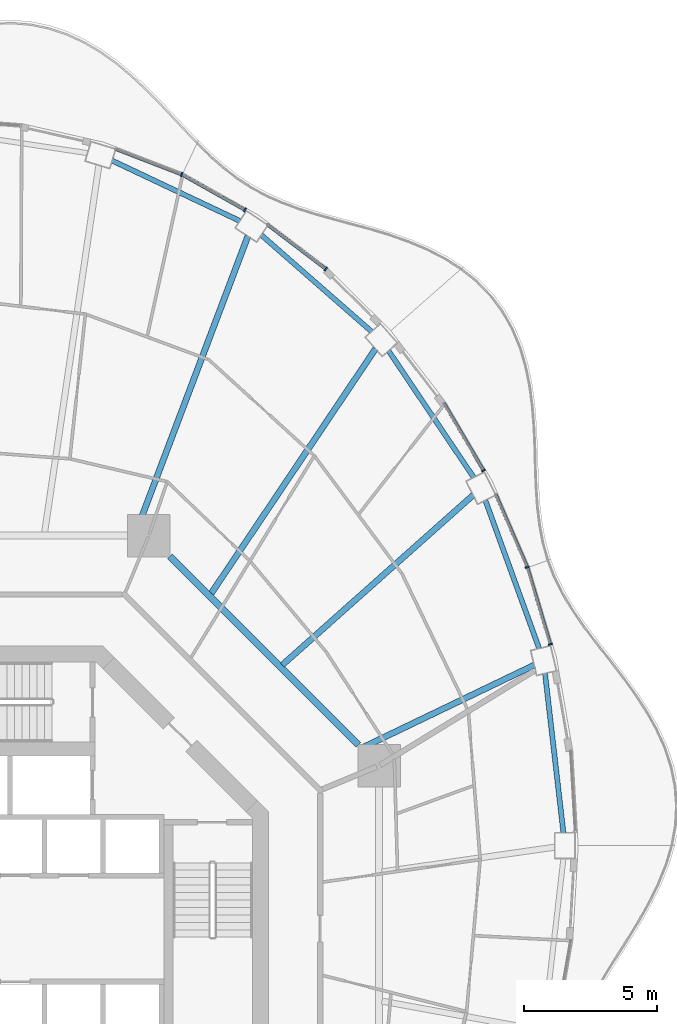
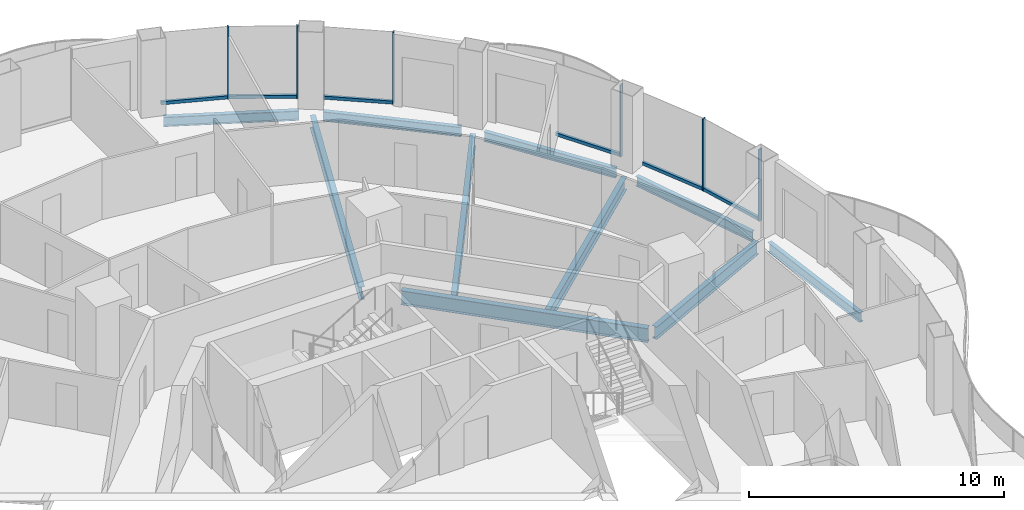
# One storey, part 7 of 18: 12 members, 10 beams, 6 elements without a shape of their own.
"""IFC4 building model written with IfcOpenShell, lengths in metres."""

from ifc_helpers import new_model, si_unit, direction, frame, origin, origin_2d, place, context, subcontext, project, spatial, rectangle, i_section, extrude, material, layer, layer_set, material_profile, profile_set, type_object, element, aggregate, save


model = new_model("IFC4")

# Units and contexts
model_context = context("Model", 3, precision=1e-05, world=origin(), true_north=direction((0.0, 1.0)))
body_context = subcontext(model_context, "Body", "Model", "MODEL_VIEW")
ifc_project = project(units=[si_unit("LENGTHUNIT", "METRE"), si_unit("AREAUNIT", "SQUARE_METRE"), si_unit("VOLUMEUNIT", "CUBIC_METRE"), si_unit("PLANEANGLEUNIT", "RADIAN"), si_unit("MASSUNIT", "GRAM", prefix="KILO")], contexts=[model_context])

# Site, building, storey
site_placement = place(None, origin())
site = spatial("IfcSite", under=ifc_project, at=site_placement, CompositionType="ELEMENT")
building_placement = place(site_placement, origin())
building = spatial("IfcBuilding", under=site, at=building_placement, Name="Nagisa Residences", CompositionType="ELEMENT")
storey_placement = place(building_placement, frame((0.0, 0.0, 215.89990234375)))
storey = spatial("IfcBuildingStorey", under=building, at=storey_placement, Name="L54", CompositionType="ELEMENT", Elevation=215.89990234375)

# Curtain wall, member
ifc_material_1 = material(Name="Concrete-coloured aluminium curtain wall system", Category="concrete")
ifc_layer = layer(ifc_material_1, 0.159912109375)
ifc_layer_set = layer_set([ifc_layer], Name="CW1 CURTAIN WALL")
curtain_wall_type = type_object("IfcCurtainWallType", Name="CW1 CURTAIN WALL", PredefinedType="NOTDEFINED", material=ifc_layer_set)
curtain_wall_1_placement = place(storey_placement, origin())
curtain_wall_1 = element("IfcCurtainWall", 1, at=curtain_wall_1_placement, inside=storey, type_object=curtain_wall_type, Name="cw:CW1:L54:02", PredefinedType="NOTDEFINED")
ifc_material_2 = material(Name="Concrete-coloured aluminium", Category="concrete")
ifc_material_profile_1 = material_profile(ifc_material_2, rectangle(XDim=0.159912109375, YDim=0.06005859375, at=origin_2d()), Name="CW1 MULLION 160x60")
ifc_profile_set_1 = profile_set([ifc_material_profile_1], Name="Concrete-coloured aluminium")
member_type_1 = type_object("IfcMemberType", Name="CW1 MULLION 160x60", PredefinedType="MULLION", material=ifc_profile_set_1)
member_1_placement = place(storey_placement, frame((21.2216796875, 10.691650390625, 0.0), z_axis=(0.0, 0.0, 1.0), x_axis=(-0.958271310082, -0.285860274038, 0.0)))
member_1 = element("IfcMember", 2, at=member_1_placement, type_object=member_type_1, Name="CW1 mullion", PredefinedType="MULLION", context=body_context, shape_type="SweptSolid", body=[
    extrude(rectangle(XDim=0.159912109375, YDim=0.06005859375, at=origin_2d()), origin(), (0.0, 0.0, 1.0), 3.440185546875),
])

curtain_wall_2_placement = place(storey_placement, origin())
curtain_wall_2 = element("IfcCurtainWall", 3, at=curtain_wall_2_placement, inside=storey, type_object=curtain_wall_type, Name="cw:CW1:L54:03", PredefinedType="NOTDEFINED")
member_2_placement = place(storey_placement, frame((20.3525390625, 13.59521484375, 0.0), z_axis=(0.0, 0.0, 1.0), x_axis=(-0.917543276295, -0.397635934147, 0.0)))
member_2 = element("IfcMember", 4, at=member_2_placement, type_object=member_type_1, Name="CW1 mullion", PredefinedType="MULLION", context=body_context, shape_type="SweptSolid", body=[
    extrude(rectangle(XDim=0.159912109375, YDim=0.06005859375, at=origin_2d()), origin(), (0.0, 0.0, 1.0), 3.440185546875),
])

curtain_wall_3_placement = place(storey_placement, origin())
curtain_wall_3 = element("IfcCurtainWall", 5, at=curtain_wall_3_placement, inside=storey, type_object=curtain_wall_type, Name="cw:CW1:L54:04", PredefinedType="NOTDEFINED")
member_3_placement = place(storey_placement, frame((18.707763671875, 17.229248046875, 0.0), z_axis=(0.0, 0.0, 1.0), x_axis=(-0.862328898214, -0.506348567002, 0.0)))
member_3 = element("IfcMember", 6, at=member_3_placement, type_object=member_type_1, Name="CW1 mullion", PredefinedType="MULLION", context=body_context, shape_type="SweptSolid", body=[
    extrude(rectangle(XDim=0.159912109375, YDim=0.06005859375, at=origin_2d()), origin(), (0.0, 0.0, 1.0), 3.440185546875),
])

curtain_wall_4_placement = place(storey_placement, origin())
curtain_wall_4 = element("IfcCurtainWall", 7, at=curtain_wall_4_placement, inside=storey, type_object=curtain_wall_type, Name="cw:CW1:L54:07", PredefinedType="NOTDEFINED")
member_4_placement = place(storey_placement, frame((12.780517578125, 24.802001953125, 0.0), z_axis=(0.0, 0.0, 1.0), x_axis=(-0.605255421737, -0.79603132756, 0.0)))
member_4 = element("IfcMember", 8, at=member_4_placement, type_object=member_type_1, Name="CW1 mullion", PredefinedType="MULLION", context=body_context, shape_type="SweptSolid", body=[
    extrude(rectangle(XDim=0.159912109375, YDim=0.06005859375, at=origin_2d()), origin(), (0.0, 0.0, 1.0), 3.440185546875),
])

curtain_wall_5_placement = place(storey_placement, origin())
curtain_wall_5 = element("IfcCurtainWall", 9, at=curtain_wall_5_placement, inside=storey, type_object=curtain_wall_type, Name="cw:CW1:L54:08", PredefinedType="NOTDEFINED")
member_5_placement = place(storey_placement, frame((9.733642578125, 27.02783203125, 0.0), z_axis=(0.0, 0.0, 1.0), x_axis=(-0.489376918501, -0.872072377523, 0.0)))
member_5 = element("IfcMember", 10, at=member_5_placement, type_object=member_type_1, Name="CW1 mullion", PredefinedType="MULLION", context=body_context, shape_type="SweptSolid", body=[
    extrude(rectangle(XDim=0.159912109375, YDim=0.06005859375, at=origin_2d()), origin(), (0.0, 0.0, 1.0), 3.440185546875),
])

curtain_wall_6_placement = place(storey_placement, origin())
curtain_wall_6 = element("IfcCurtainWall", 11, at=curtain_wall_6_placement, inside=storey, type_object=curtain_wall_type, Name="cw:CW1:L54:09", PredefinedType="NOTDEFINED")
member_6_placement = place(storey_placement, frame((7.3544921875, 28.35888671875, 0.0), z_axis=(0.0, 0.0, 1.0), x_axis=(-0.360327770268, -0.932825759707, 0.0)))
member_6 = element("IfcMember", 12, at=member_6_placement, type_object=member_type_1, Name="CW1 mullion", PredefinedType="MULLION", context=body_context, shape_type="SweptSolid", body=[
    extrude(rectangle(XDim=0.159912109375, YDim=0.06005859375, at=origin_2d()), origin(), (0.0, 0.0, 1.0), 3.440185546875),
])

# Member
ifc_material_3 = material(Name="Concrete-coloured aluminium", Category="concrete")
ifc_material_profile_2 = material_profile(ifc_material_3, rectangle(XDim=0.1201171875, YDim=0.14990234375, at=origin_2d()), Name="CW1 TRANSOM 120x150")
ifc_profile_set_2 = profile_set([ifc_material_profile_2], Name="Concrete-coloured aluminium")
member_type_2 = type_object("IfcMemberType", Name="CW1 TRANSOM 120x150", PredefinedType="USERDEFINED", material=ifc_profile_set_2)
member_7_placement = place(storey_placement, frame((21.230224609375, 10.6630859375, 0.0751953125), z_axis=(-0.285881452443, 0.958264992134, 0.0), x_axis=(-0.958264992134, -0.285881452443, 0.0)))
member_7 = element("IfcMember", 13, at=member_7_placement, type_object=member_type_2, Name="CW1 transom", ObjectType="TRANSOM", PredefinedType="USERDEFINED", context=body_context, shape_type="SweptSolid", body=[
    extrude(rectangle(XDim=0.1201171875, YDim=0.14990234375, at=origin_2d()), origin(), (0.0, 0.0, 1.0), 3.040283203125),
])

aggregate(curtain_wall_1, [member_1, member_7])

member_8_placement = place(storey_placement, frame((20.3642578125, 13.567626953125, 0.0751953125), z_axis=(-0.397616567135, 0.917551669139, 0.0), x_axis=(-0.917551669139, -0.397616567135, 0.0)))
member_8 = element("IfcMember", 14, at=member_8_placement, type_object=member_type_2, Name="CW1 transom", ObjectType="TRANSOM", PredefinedType="USERDEFINED", context=body_context, shape_type="SweptSolid", body=[
    extrude(rectangle(XDim=0.1201171875, YDim=0.14990234375, at=origin_2d()), origin(), (0.0, 0.0, 1.0), 3.001953125),
])

aggregate(curtain_wall_2, [member_2, member_8])

member_9_placement = place(storey_placement, frame((18.72314453125, 17.203369140625, 0.0751953125), z_axis=(-0.5063555387, 0.862324804484, 0.0), x_axis=(-0.862324804484, -0.5063555387, 0.0)))
member_9 = element("IfcMember", 15, at=member_9_placement, type_object=member_type_2, Name="CW1 transom", ObjectType="TRANSOM", PredefinedType="USERDEFINED", context=body_context, shape_type="SweptSolid", body=[
    extrude(rectangle(XDim=0.1201171875, YDim=0.14990234375, at=origin_2d()), origin(), (0.0, 0.0, 1.0), 2.95458984375),
])

aggregate(curtain_wall_3, [member_3, member_9])

member_10_placement = place(storey_placement, frame((12.804443359375, 24.783935546875, 0.0751953125), z_axis=(-0.795990084031, 0.60530966135, 0.0), x_axis=(-0.60530966135, -0.795990084031, 0.0)))
member_10 = element("IfcMember", 16, at=member_10_placement, type_object=member_type_2, Name="CW1 transom", ObjectType="TRANSOM", PredefinedType="USERDEFINED", context=body_context, shape_type="SweptSolid", body=[
    extrude(rectangle(XDim=0.1201171875, YDim=0.14990234375, at=origin_2d()), origin(), (0.0, 0.0, 1.0), 2.78857421875),
])

aggregate(curtain_wall_4, [member_4, member_10])

member_11_placement = place(storey_placement, frame((9.759765625, 27.012939453125, 0.0751953125), z_axis=(-0.872041873719, 0.489431272479, 0.0), x_axis=(-0.489431272479, -0.872041873719, 0.0)))
member_11 = element("IfcMember", 17, at=member_11_placement, type_object=member_type_2, Name="CW1 transom", ObjectType="TRANSOM", PredefinedType="USERDEFINED", context=body_context, shape_type="SweptSolid", body=[
    extrude(rectangle(XDim=0.1201171875, YDim=0.14990234375, at=origin_2d()), origin(), (0.0, 0.0, 1.0), 2.738037109375),
])

aggregate(curtain_wall_5, [member_5, member_11])

member_12_placement = place(storey_placement, frame((7.38232421875, 28.34814453125, 0.0751953125), z_axis=(-0.932826499224, 0.360325855782, 0.0), x_axis=(-0.360325855782, -0.932826499224, 0.0)))
member_12 = element("IfcMember", 18, at=member_12_placement, type_object=member_type_2, Name="CW1 transom", ObjectType="TRANSOM", PredefinedType="USERDEFINED", context=body_context, shape_type="SweptSolid", body=[
    extrude(rectangle(XDim=0.1201171875, YDim=0.14990234375, at=origin_2d()), origin(), (0.0, 0.0, 1.0), 2.696044921875),
])

aggregate(curtain_wall_6, [member_6, member_12])

# Beams
ifc_material_4 = material(Name="Steel ASTM A572 Gr 50", Category="steel")
ifc_material_profile_3 = material_profile(ifc_material_4, i_section(OverallWidth=0.2529296875, OverallDepth=0.677978515625, WebThickness=0.01171875, FlangeThickness=0.016357421875, at=origin_2d()), Name="W690x125")
ifc_profile_set_3 = profile_set([ifc_material_profile_3], Name="Steel ASTM A572 Gr 50")
beam_type_1 = type_object("IfcBeamType", Name="Inner ring beam W690x125", PredefinedType="BEAM", material=ifc_profile_set_3)
beam_1_placement = place(storey_placement, frame((13.99609375, 6.90869140625, -0.598876953125), z_axis=(-0.707106781187, 0.707106781187, 0.0), x_axis=(-0.707106781187, -0.707106781187, 0.0)))
element("IfcBeam", 19, at=beam_1_placement, inside=storey, type_object=beam_type_1, Name="beam:L54:ib1", PredefinedType="BEAM", context=body_context, shape_type="SweptSolid", body=[
    extrude(i_section(OverallWidth=0.2529296875, OverallDepth=0.677978515625, WebThickness=0.01171875, FlangeThickness=0.016357421875, at=origin_2d()), origin(), (0.0, 0.0, 1.0), 10.023193359375),
])
ifc_material_5 = material(Name="Steel ASTM A572 Gr 50", Category="steel")
ifc_material_profile_4 = material_profile(ifc_material_5, i_section(OverallWidth=0.18994140625, OverallDepth=0.45703125, WebThickness=0.009033203125, FlangeThickness=0.014404296875, at=origin_2d()), Name="W460x74")
ifc_profile_set_4 = profile_set([ifc_material_profile_4], Name="Steel ASTM A572 Gr 50")
beam_type_2 = type_object("IfcBeamType", Name="Perimeter ring beam W460x74", PredefinedType="BEAM", material=ifc_profile_set_4)
beam_2_placement = place(storey_placement, frame((21.714599609375, 3.597900390625, -0.48828125), z_axis=(-0.114650193512, 0.993405925656, 0.0), x_axis=(-0.993405925656, -0.114650193512, 0.0)))
element("IfcBeam", 20, at=beam_2_placement, inside=storey, type_object=beam_type_2, Name="beam:L54:pb01", PredefinedType="BEAM", context=body_context, shape_type="SweptSolid", body=[
    extrude(i_section(OverallWidth=0.18994140625, OverallDepth=0.45703125, WebThickness=0.009033203125, FlangeThickness=0.014404296875, at=origin_2d()), origin(), (0.0, 0.0, 1.0), 6.0390625),
])
beam_3_placement = place(storey_placement, frame((20.802001953125, 10.53173828125, -0.48828125), z_axis=(-0.34127712749, 0.939962723863, 0.0), x_axis=(-0.939962723863, -0.34127712749, 0.0)))
element("IfcBeam", 21, at=beam_3_placement, inside=storey, type_object=beam_type_2, Name="beam:L54:pb02", PredefinedType="BEAM", context=body_context, shape_type="SweptSolid", body=[
    extrude(i_section(OverallWidth=0.18994140625, OverallDepth=0.45703125, WebThickness=0.009033203125, FlangeThickness=0.014404296875, at=origin_2d()), origin(), (0.0, 0.0, 1.0), 5.9326171875),
])
beam_4_placement = place(storey_placement, frame((18.34228515625, 16.964111328125, -0.48828125), z_axis=(-0.558109119402, 0.829767564345, 0.0), x_axis=(-0.829767564345, -0.558109119402, 0.0)))
element("IfcBeam", 22, at=beam_4_placement, inside=storey, type_object=beam_type_2, Name="beam:L54:pb03", PredefinedType="BEAM", context=body_context, shape_type="SweptSolid", body=[
    extrude(i_section(OverallWidth=0.18994140625, OverallDepth=0.45703125, WebThickness=0.009033203125, FlangeThickness=0.014404296875, at=origin_2d()), origin(), (0.0, 0.0, 1.0), 5.74365234375),
])
beam_5_placement = place(storey_placement, frame((14.502197265625, 22.45068359375, -0.48828125), z_axis=(-0.75242320672, 0.65867998147, 0.0), x_axis=(-0.65867998147, -0.75242320672, 0.0)))
element("IfcBeam", 23, at=beam_5_placement, inside=storey, type_object=beam_type_2, Name="beam:L54:pb04", PredefinedType="BEAM", context=body_context, shape_type="SweptSolid", body=[
    extrude(i_section(OverallWidth=0.18994140625, OverallDepth=0.45703125, WebThickness=0.009033203125, FlangeThickness=0.014404296875, at=origin_2d()), origin(), (0.0, 0.0, 1.0), 5.5185546875),
])
beam_6_placement = place(storey_placement, frame((9.546630859375, 26.6123046875, -0.48828125), z_axis=(-0.904133867308, 0.42724928319, 0.0), x_axis=(-0.42724928319, -0.904133867308, 0.0)))
element("IfcBeam", 24, at=beam_6_placement, inside=storey, type_object=beam_type_2, Name="beam:L54:pb05", PredefinedType="BEAM", context=body_context, shape_type="SweptSolid", body=[
    extrude(i_section(OverallWidth=0.18994140625, OverallDepth=0.45703125, WebThickness=0.009033203125, FlangeThickness=0.014404296875, at=origin_2d()), origin(), (0.0, 0.0, 1.0), 5.317138671875),
])
ifc_material_6 = material(Name="Steel ASTM A572 Gr 50", Category="steel")
ifc_material_profile_5 = material_profile(ifc_material_6, i_section(OverallWidth=0.22802734375, OverallDepth=0.60302734375, WebThickness=0.010498046875, FlangeThickness=0.014892578125, at=origin_2d()), Name="W610x101")
ifc_profile_set_5 = profile_set([ifc_material_profile_5], Name="Steel ASTM A572 Gr 50")
beam_type_3 = type_object("IfcBeamType", Name="Radial beam W610x101", PredefinedType="BEAM", material=ifc_profile_set_5)
beam_7_placement = place(storey_placement, frame((20.61572265625, 9.90869140625, -0.5615234375), z_axis=(-0.901297388138, -0.433200898124, 0.0), x_axis=(0.433200898124, -0.901297388138, 0.0)))
element("IfcBeam", 25, at=beam_7_placement, inside=storey, type_object=beam_type_3, Name="beam:L54:rb02", PredefinedType="BEAM", context=body_context, shape_type="SweptSolid", body=[
    extrude(i_section(OverallWidth=0.22802734375, OverallDepth=0.60302734375, WebThickness=0.010498046875, FlangeThickness=0.014892578125, at=origin_2d()), origin(), (0.0, 0.0, 1.0), 7.09423828125),
])
beam_8_placement = place(storey_placement, frame((18.318115234375, 16.301025390625, -0.5615234375), z_axis=(-0.747027831774, -0.664792763615, 0.0), x_axis=(0.664792763615, -0.747027831774, 0.0)))
element("IfcBeam", 26, at=beam_8_placement, inside=storey, type_object=beam_type_3, Name="beam:L54:rb03", PredefinedType="BEAM", context=body_context, shape_type="SweptSolid", body=[
    extrude(i_section(OverallWidth=0.22802734375, OverallDepth=0.60302734375, WebThickness=0.010498046875, FlangeThickness=0.014892578125, at=origin_2d()), origin(), (0.0, 0.0, 1.0), 9.607177734375),
])
beam_9_placement = place(storey_placement, frame((14.64697265625, 21.804931640625, -0.5615234375), z_axis=(-0.557606656779, -0.830105304354, 0.0), x_axis=(0.830105304354, -0.557606656779, 0.0)))
element("IfcBeam", 27, at=beam_9_placement, inside=storey, type_object=beam_type_3, Name="beam:L54:rb04", PredefinedType="BEAM", context=body_context, shape_type="SweptSolid", body=[
    extrude(i_section(OverallWidth=0.22802734375, OverallDepth=0.60302734375, WebThickness=0.010498046875, FlangeThickness=0.014892578125, at=origin_2d()), origin(), (0.0, 0.0, 1.0), 11.09423828125),
])
beam_10_placement = place(storey_placement, frame((9.84716796875, 26.04052734375, -0.5615234375), z_axis=(-0.353700839295, -0.935358603041, 0.0), x_axis=(0.935358603041, -0.353700839295, 0.0)))
element("IfcBeam", 28, at=beam_10_placement, inside=storey, type_object=beam_type_3, Name="beam:L54:rb05", PredefinedType="BEAM", context=body_context, shape_type="SweptSolid", body=[
    extrude(i_section(OverallWidth=0.22802734375, OverallDepth=0.60302734375, WebThickness=0.010498046875, FlangeThickness=0.014892578125, at=origin_2d()), origin(), (0.0, 0.0, 1.0), 11.921142578125),
])

save(model, "model.ifc")
